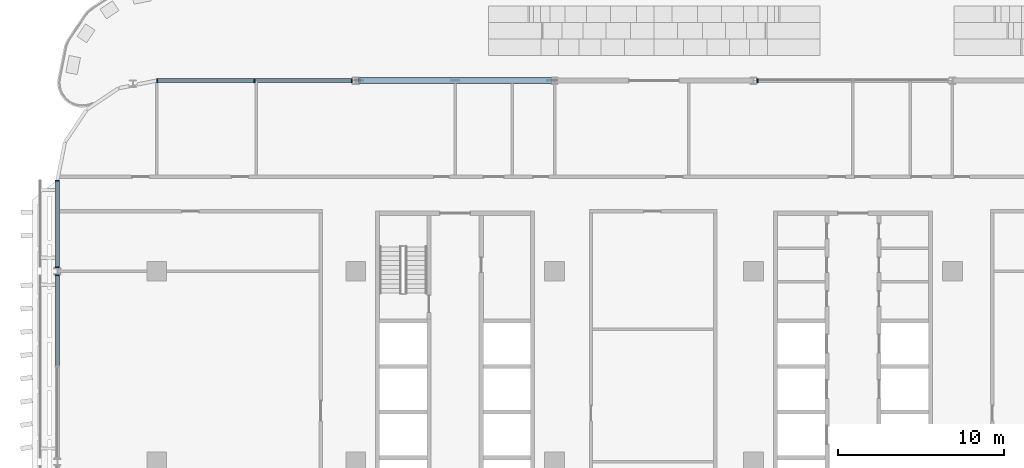
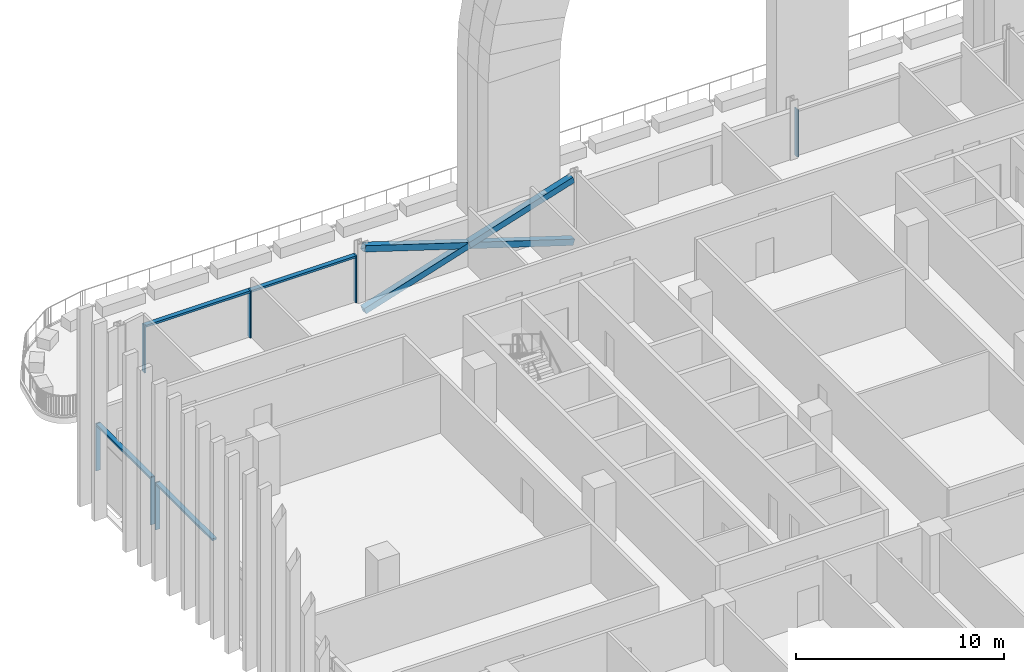
# One storey, part 5 of 30: 14 members, 4 elements without a shape of their own.
"""IFC4 building model written with IfcOpenShell, lengths in metres."""

from ifc_helpers import new_model, si_unit, direction, frame, origin, origin_2d, place, context, subcontext, project, spatial, rectangle, hollow_rectangle, extrude, material, material_profile, profile_set, type_object, element, aggregate, save


model = new_model("IFC4")

# Units and contexts
model_context = context("Model", 3, precision=1e-05, world=origin(), true_north=direction((0.0, 1.0)))
body_context = subcontext(model_context, "Body", "Model", "MODEL_VIEW")
ifc_project = project(units=[si_unit("LENGTHUNIT", "METRE"), si_unit("AREAUNIT", "SQUARE_METRE"), si_unit("VOLUMEUNIT", "CUBIC_METRE"), si_unit("PLANEANGLEUNIT", "RADIAN"), si_unit("MASSUNIT", "GRAM", prefix="KILO")], contexts=[model_context])

# Site, building, storey
site_placement = place(None, origin())
site = spatial("IfcSite", under=ifc_project, at=site_placement, CompositionType="ELEMENT")
building_placement = place(site_placement, origin())
building = spatial("IfcBuilding", under=site, at=building_placement, Name="Mahtab Terrace Research Tower", CompositionType="ELEMENT")
storey_placement = place(building_placement, frame((0.0, 0.0, 159.199951171875)))
storey = spatial("IfcBuildingStorey", under=building, at=storey_placement, Name="L37", CompositionType="ELEMENT", Elevation=159.199951171875)

# Members
ifc_material_1 = material(Name="Steel ASTM A500 Gr C", Category="steel")
ifc_material_profile_1 = material_profile(ifc_material_1, hollow_rectangle(XDim=0.355712890625, YDim=0.355712890625, WallThickness=0.015869140625, at=origin_2d()), Name="HSS14X14X5/8")
ifc_profile_set_1 = profile_set([ifc_material_profile_1], Name="Steel ASTM A500 Gr C")
member_type_1 = type_object("IfcMemberType", Name="HSS 14x14x5/8 brace XB141458", PredefinedType="BRACE", material=ifc_profile_set_1)
member_1_placement = place(storey_placement, frame((-18.203125, 23.0, -0.61474609375), z_axis=(-0.953341454971, 0.0, 0.301894137463), x_axis=(0.0, -1.0, 0.0)))
element("IfcMember", 1, at=member_1_placement, inside=storey, type_object=member_type_1, Name="Exoskeleton brace L37 06 a", PredefinedType="BRACE", context=body_context, shape_type="SweptSolid", body=[
    extrude(hollow_rectangle(XDim=0.355712890625, YDim=0.355712890625, WallThickness=0.015869140625, at=origin_2d()), origin(), (0.0, 0.0, 1.0), 12.1611328125),
])
for number, where, z_axis, x_axis, name in (
    (2, (-29.796875, 23.0, -0.61474609375), (0.953341454971, 0.0, 0.301894137463), (0.0, 1.0, 0.0), "Exoskeleton brace L37 06 b1"),
    (3, (-24.0, 23.0, 1.220947265625), (0.953341454971, 0.0, 0.301894137463), (0.0, 1.0, 0.0), "Exoskeleton brace L37 06 b2"),
):
    element("IfcMember", number, at=place(storey_placement, frame(where, z_axis=z_axis, x_axis=x_axis)), inside=storey, type_object=member_type_1, Name=name, PredefinedType="BRACE", context=body_context, shape_type="SweptSolid", body=[
        extrude(hollow_rectangle(XDim=0.355712890625, YDim=0.355712890625, WallThickness=0.015869140625, at=origin_2d()), origin(), (0.0, 0.0, 1.0), 6.08056640625),
    ])

# Curtain wall, member
ifc_material_2 = material(Name="Sky lounge full-height curtain wall")
curtain_wall_type = type_object("IfcCurtainWallType", Name="Sky lounge full-height curtain wall", PredefinedType="NOTDEFINED", material=ifc_material_2)
curtain_wall_1_placement = place(storey_placement, origin())
curtain_wall_1 = element("IfcCurtainWall", 4, at=curtain_wall_1_placement, inside=storey, type_object=curtain_wall_type, Name="EN.L37.3.6", PredefinedType="NOTDEFINED")
ifc_material_3 = material(Name="Natural anodised aluminium", Category="aluminium")
ifc_material_profile_2 = material_profile(ifc_material_3, rectangle(XDim=0.25, YDim=0.070068359375, at=origin_2d()), Name="MULLION 70x250")
ifc_profile_set_2 = profile_set([ifc_material_profile_2], Name="Natural anodised aluminium")
member_type_2 = type_object("IfcMemberType", Name="Sky lounge full-height curtain wall mullion", PredefinedType="MULLION", material=ifc_profile_set_2)
member_2_placement = place(storey_placement, frame((-5.757080078125, 23.0, 0.0), z_axis=(0.0, 0.0, 1.0), x_axis=(0.0, -1.0, 0.0)))
member_2 = element("IfcMember", 5, at=member_2_placement, type_object=member_type_2, Name="CWS-5 mullion 3", PredefinedType="MULLION", context=body_context, shape_type="SweptSolid", body=[
    extrude(rectangle(XDim=0.25, YDim=0.070068359375, at=origin_2d()), origin(), (0.0, 0.0, 1.0), 2.78173828125),
])
aggregate(curtain_wall_1, [member_2])

# Curtain wall, members
curtain_wall_2_placement = place(storey_placement, origin())
curtain_wall_2 = element("IfcCurtainWall", 6, at=curtain_wall_2_placement, inside=storey, type_object=curtain_wall_type, Name="EN.L37.3.9", PredefinedType="NOTDEFINED")
member_3_placement = place(storey_placement, frame((-30.242919921875, 23.0, 0.0), z_axis=(0.0, 0.0, 1.0), x_axis=(0.0, -1.0, 0.0)))
member_3 = element("IfcMember", 7, at=member_3_placement, type_object=member_type_2, Name="CWS-5 mullion 1", PredefinedType="MULLION", context=body_context, shape_type="SweptSolid", body=[
    extrude(rectangle(XDim=0.25, YDim=0.070068359375, at=origin_2d()), origin(), (0.0, 0.0, 1.0), 2.78173828125),
])
member_4_placement = place(storey_placement, frame((-36.10400390625, 23.0, 0.0), z_axis=(0.0, 0.0, 1.0), x_axis=(0.0, -1.0, 0.0)))
member_4 = element("IfcMember", 8, at=member_4_placement, type_object=member_type_2, Name="CWS-5 mullion 2", PredefinedType="MULLION", context=body_context, shape_type="SweptSolid", body=[
    extrude(rectangle(XDim=0.25, YDim=0.070068359375, at=origin_2d()), origin(), (0.0, 0.0, 1.0), 2.78173828125),
])
member_5_placement = place(storey_placement, frame((-41.965087890625, 23.0, 0.0), z_axis=(0.0, 0.0, 1.0), x_axis=(0.0, -1.0, 0.0)))
member_5 = element("IfcMember", 9, at=member_5_placement, type_object=member_type_2, Name="CWS-5 mullion 3", PredefinedType="MULLION", context=body_context, shape_type="SweptSolid", body=[
    extrude(rectangle(XDim=0.25, YDim=0.070068359375, at=origin_2d()), origin(), (0.0, 0.0, 1.0), 2.78173828125),
])

curtain_wall_3_placement = place(storey_placement, origin())
curtain_wall_3 = element("IfcCurtainWall", 10, at=curtain_wall_3_placement, inside=storey, type_object=curtain_wall_type, Name="EN.L37.8.15", PredefinedType="NOTDEFINED")
member_6_placement = place(storey_placement, frame((-48.0, 16.965087890625, 0.0), z_axis=(0.0, 0.0, 1.0), x_axis=(1.0, 0.0, 0.0)))
member_6 = element("IfcMember", 11, at=member_6_placement, type_object=member_type_2, Name="CWS-5 mullion 1", PredefinedType="MULLION", context=body_context, shape_type="SweptSolid", body=[
    extrude(rectangle(XDim=0.25, YDim=0.070068359375, at=origin_2d()), origin(), (0.0, 0.0, 1.0), 2.78173828125),
])
member_7_placement = place(storey_placement, frame((-48.0, 11.742919921875, 0.0), z_axis=(0.0, 0.0, 1.0), x_axis=(1.0, 0.0, 0.0)))
member_7 = element("IfcMember", 12, at=member_7_placement, type_object=member_type_2, Name="CWS-5 mullion 2", PredefinedType="MULLION", context=body_context, shape_type="SweptSolid", body=[
    extrude(rectangle(XDim=0.25, YDim=0.070068359375, at=origin_2d()), origin(), (0.0, 0.0, 1.0), 2.78173828125),
])

# Curtain wall, member
curtain_wall_4_placement = place(storey_placement, origin())
curtain_wall_4 = element("IfcCurtainWall", 13, at=curtain_wall_4_placement, inside=storey, type_object=curtain_wall_type, Name="EN.L37.8.16", PredefinedType="NOTDEFINED")
member_8_placement = place(storey_placement, frame((-48.0, 11.257080078125, 0.0), z_axis=(0.0, 0.0, 1.0), x_axis=(1.0, 0.0, 0.0)))
member_8 = element("IfcMember", 14, at=member_8_placement, type_object=member_type_2, Name="CWS-5 mullion 1", PredefinedType="MULLION", context=body_context, shape_type="SweptSolid", body=[
    extrude(rectangle(XDim=0.25, YDim=0.070068359375, at=origin_2d()), origin(), (0.0, 0.0, 1.0), 2.78173828125),
])

# Member
ifc_material_profile_3 = material_profile(ifc_material_3, rectangle(XDim=0.25, YDim=0.1201171875, at=origin_2d()), Name="TRANSOM 120x250")
ifc_profile_set_3 = profile_set([ifc_material_profile_3], Name="Natural anodised aluminium")
member_type_3 = type_object("IfcMemberType", Name="Sky lounge full-height curtain wall transom", PredefinedType="USERDEFINED", material=ifc_profile_set_3)
member_9_placement = place(storey_placement, frame((-30.278076171875, 23.0, 2.721923828125), z_axis=(-1.0, 0.0, 0.0), x_axis=(0.0, -1.0, 0.0)))
member_9 = element("IfcMember", 15, at=member_9_placement, type_object=member_type_3, Name="CWS-5 transom 1", ObjectType="TRANSOM", PredefinedType="USERDEFINED", context=body_context, shape_type="SweptSolid", body=[
    extrude(rectangle(XDim=0.25, YDim=0.1201171875, at=origin_2d()), origin(), (0.0, 0.0, 1.0), 5.791015625),
])

member_10_placement = place(storey_placement, frame((-36.138916015625, 23.0, 2.721923828125), z_axis=(-1.0, 0.0, 0.0), x_axis=(0.0, -1.0, 0.0)))
member_10 = element("IfcMember", 16, at=member_10_placement, type_object=member_type_3, Name="CWS-5 transom 2", ObjectType="TRANSOM", PredefinedType="USERDEFINED", context=body_context, shape_type="SweptSolid", body=[
    extrude(rectangle(XDim=0.25, YDim=0.1201171875, at=origin_2d()), origin(), (0.0, 0.0, 1.0), 5.791015625),
])

aggregate(curtain_wall_2, [member_3, member_4, member_5, member_9, member_10])

member_11_placement = place(storey_placement, frame((-48.0, 16.929931640625, 2.721923828125), z_axis=(0.0, -1.0, 0.0), x_axis=(1.0, 0.0, 0.0)))
member_11 = element("IfcMember", 17, at=member_11_placement, type_object=member_type_3, Name="CWS-5 transom 1", ObjectType="TRANSOM", PredefinedType="USERDEFINED", context=body_context, shape_type="SweptSolid", body=[
    extrude(rectangle(XDim=0.25, YDim=0.1201171875, at=origin_2d()), origin(), (0.0, 0.0, 1.0), 5.15185546875),
])

aggregate(curtain_wall_3, [member_6, member_7, member_11])

member_12_placement = place(storey_placement, frame((-48.0, 11.221923828125, 2.721923828125), z_axis=(0.0, -1.0, 0.0), x_axis=(1.0, 0.0, 0.0)))
member_12 = element("IfcMember", 18, at=member_12_placement, type_object=member_type_3, Name="CWS-5 transom 1", ObjectType="TRANSOM", PredefinedType="USERDEFINED", context=body_context, shape_type="SweptSolid", body=[
    extrude(rectangle(XDim=0.25, YDim=0.1201171875, at=origin_2d()), origin(), (0.0, 0.0, 1.0), 5.43701171875),
])

aggregate(curtain_wall_4, [member_8, member_12])

save(model, "model.ifc")
